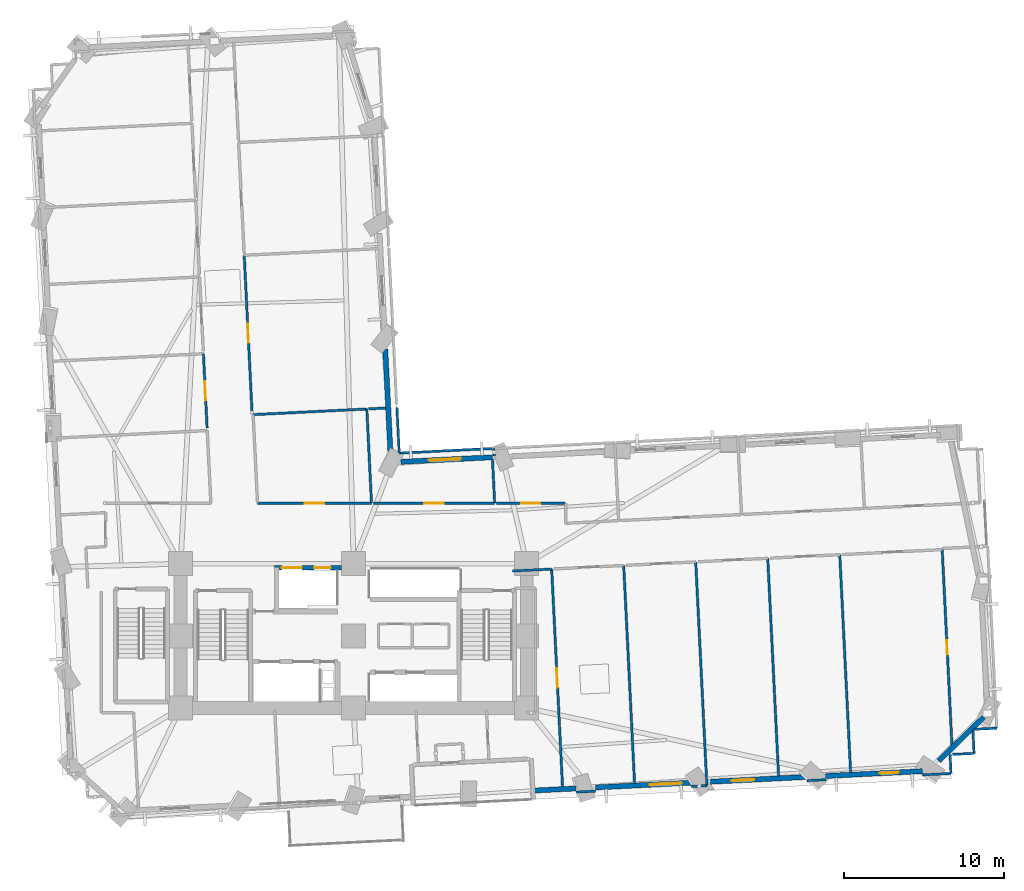
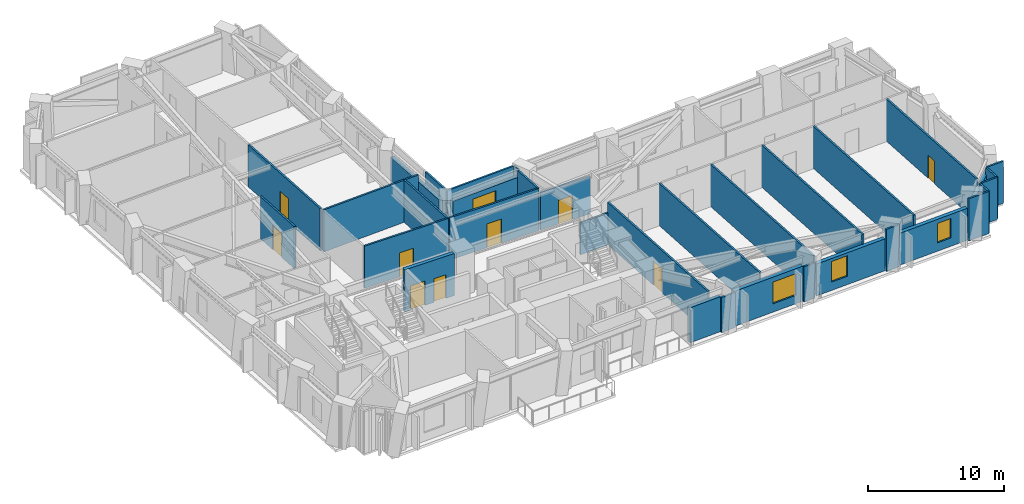
# One storey, part 8 of 15: 35 walls, 9 doors, 4 windows, 13 openings.
"""IFC4 building model written with IfcOpenShell, lengths in metres."""

from ifc_helpers import new_model, si_unit, direction, frame, frame_2d, origin, place, context, subcontext, project, spatial, rectangle, extrude, material, layer, layer_set, type_object, element, fill, save


model = new_model("IFC4")

# Units and contexts
model_context = context("Model", 3, precision=1e-05, world=origin(), true_north=direction((0.0, 1.0)))
body_context = subcontext(model_context, "Body", "Model", "MODEL_VIEW")
ifc_project = project(units=[si_unit("LENGTHUNIT", "METRE"), si_unit("AREAUNIT", "SQUARE_METRE"), si_unit("VOLUMEUNIT", "CUBIC_METRE"), si_unit("PLANEANGLEUNIT", "RADIAN"), si_unit("MASSUNIT", "GRAM", prefix="KILO")], contexts=[model_context])

# Site, building, storey
site_placement = place(None, origin())
site = spatial("IfcSite", under=ifc_project, at=site_placement, CompositionType="ELEMENT")
building_placement = place(site_placement, origin())
building = spatial("IfcBuilding", under=site, at=building_placement, Name="Gaonmaruhae Medical Tower", CompositionType="ELEMENT")
storey_placement = place(building_placement, frame((0.0, 0.0, 35.0)))
storey = spatial("IfcBuildingStorey", under=building, at=storey_placement, Name="L07", CompositionType="ELEMENT", Elevation=35.0)

# Wall
ifc_material_1 = material(Name="Precast concrete C45/55", Category="concrete")
ifc_layer_1 = layer(ifc_material_1, 0.320068359375)
ifc_layer_set_1 = layer_set([ifc_layer_1], Name="Precast concrete C45/55")
wall_type_1 = type_object("IfcWallType", Name="EW-320 Lower Precast Masonry-Frame Facade Wall", PredefinedType="SOLIDWALL", material=ifc_layer_set_1)
wall_1_placement = place(storey_placement, frame((38.6787109375, 2.775390625, 0.0), z_axis=(0.0, 0.0, 1.0), x_axis=(-0.998758724052, -0.049809749348, 0.0)))
element("IfcWall", 1, at=wall_1_placement, inside=storey, type_object=wall_type_1, Name="L07 Precast Masonry-Frame Wall S04-S05", PredefinedType="SOLIDWALL", context=body_context, shape_type="SweptSolid", body=[
    extrude(rectangle(XDim=2.66650390625, YDim=0.320068359375, at=frame_2d((1.333251953125, 0.0))), origin(), (0.0, 0.0, 1.0), 3.14501953125),
])

# Wall, opening, window
wall_2_placement = place(storey_placement, frame((45.876220703125, 3.133544921875, 0.0), z_axis=(0.0, 0.0, 1.0), x_axis=(-0.998764196625, -0.049699894762, 0.0)))
wall_2 = element("IfcWall", 2, at=wall_2_placement, inside=storey, type_object=wall_type_1, Name="L07 Precast Masonry-Frame Wall S05-S06", PredefinedType="SOLIDWALL", context=body_context, shape_type="SweptSolid", body=[
    extrude(rectangle(XDim=5.992919921875, YDim=0.320068359375, at=frame_2d((2.99658203125, 0.0))), origin(), (0.0, 0.0, 1.0), 3.14501953125),
])
opening_1_placement = place(wall_2_placement, frame((0.58837890625, 0.0, 0.75)))
opening_1 = element("IfcOpeningElement", 3, at=opening_1_placement, cuts=wall_2, Name="Opening WN-02", PredefinedType="OPENING", context=body_context, shape_type="SweptSolid", body=[
    extrude(rectangle(XDim=2.0, YDim=1.949951171875, at=frame_2d((1.0, 0.97509765625))), frame((0.0, 0.169921875, 0.0), z_axis=(0.0, -1.0, 0.0), x_axis=(1.0, 0.0, 0.0)), (0.0, 0.0, 1.0), 0.340087890625),
])
ifc_material_2 = material(Name="Anodised aluminium and Low-E double glazing", Category="aluminium")
window_type_1 = type_object("IfcWindowType", Name="WN-02 Double-Bed Ward Punched Window 2000x1950", PartitioningType="SINGLE_PANEL", PredefinedType="WINDOW", material=ifc_material_2)
window_1_placement = place(opening_1_placement, origin())
window_1 = element("IfcWindow", 4, at=window_1_placement, inside=storey, type_object=window_type_1, Name="L07 Modular Facade Window S05", OverallHeight=1.949951171875, OverallWidth=2.0, PartitioningType="SINGLE_PANEL", PredefinedType="WINDOW", context=body_context, shape_type="SweptSolid", body=[
    extrude(rectangle(XDim=2.0, YDim=1.949951171875, at=frame_2d((1.0, 0.97509765625))), frame((0.0, 0.030029296875, 0.0), z_axis=(0.0, -1.0, 0.0), x_axis=(1.0, 0.0, 0.0)), (0.0, 0.0, 1.0), 0.06005859375),
])
fill(opening_1, window_1)

wall_3_placement = place(storey_placement, frame((53.07958984375, 3.4921875, 0.0), z_axis=(0.0, 0.0, 1.0), x_axis=(-0.998764057843, -0.04970268364, 0.0)))
wall_3 = element("IfcWall", 5, at=wall_3_placement, inside=storey, type_object=wall_type_1, Name="L07 Precast Masonry-Frame Wall S06-S07", PredefinedType="SOLIDWALL", context=body_context, shape_type="SweptSolid", body=[
    extrude(rectangle(XDim=6.01220703125, YDim=0.320068359375, at=frame_2d((3.006103515625, 0.0))), origin(), (0.0, 0.0, 1.0), 2.864990234375),
])
opening_2_placement = place(wall_3_placement, frame((3.28759765625, 0.0, 0.75)))
opening_2 = element("IfcOpeningElement", 6, at=opening_2_placement, cuts=wall_3, Name="Opening WN-03", PredefinedType="OPENING", context=body_context, shape_type="SweptSolid", body=[
    extrude(rectangle(XDim=1.39990234375, YDim=1.85009765625, at=frame_2d((0.699951171875, 0.925048828125))), frame((0.0, 0.169921875, 0.0), z_axis=(0.0, -1.0, 0.0), x_axis=(1.0, 0.0, 0.0)), (0.0, 0.0, 1.0), 0.340087890625),
])
window_type_2 = type_object("IfcWindowType", Name="WN-03 Isolation Ward Punched Window 1400x1850", PartitioningType="SINGLE_PANEL", PredefinedType="WINDOW", material=ifc_material_2)
window_2_placement = place(opening_2_placement, origin())
window_2 = element("IfcWindow", 7, at=window_2_placement, inside=storey, type_object=window_type_2, Name="L07 Modular Facade Window S06", OverallHeight=1.85009765625, OverallWidth=1.39990234375, PartitioningType="SINGLE_PANEL", PredefinedType="WINDOW", context=body_context, shape_type="SweptSolid", body=[
    extrude(rectangle(XDim=1.39990234375, YDim=1.85009765625, at=frame_2d((0.699951171875, 0.925048828125))), frame((0.0, 0.030029296875, 0.0), z_axis=(0.0, -1.0, 0.0), x_axis=(1.0, 0.0, 0.0)), (0.0, 0.0, 1.0), 0.06005859375),
])
fill(opening_2, window_2)

wall_4_placement = place(storey_placement, frame((60.28955078125, 3.85107421875, 0.0), z_axis=(0.0, 0.0, 1.0), x_axis=(-0.998763193279, -0.049720053823, 0.0)))
wall_4 = element("IfcWall", 8, at=wall_4_placement, inside=storey, type_object=wall_type_1, Name="L07 Precast Masonry-Frame Wall S07-S08", PredefinedType="SOLIDWALL", context=body_context, shape_type="SweptSolid", body=[
    extrude(rectangle(XDim=6.044677734375, YDim=0.320068359375, at=frame_2d((3.0224609375, 0.0))), origin(), (0.0, 0.0, 1.0), 2.864990234375),
])
opening_3_placement = place(wall_4_placement, frame((1.46142578125, 0.0, 0.75)))
opening_3 = element("IfcOpeningElement", 9, at=opening_3_placement, cuts=wall_4, Name="Opening WN-05", PredefinedType="OPENING", context=body_context, shape_type="SweptSolid", body=[
    extrude(rectangle(XDim=1.199951171875, YDim=1.75, at=frame_2d((0.60009765625, 0.875))), frame((0.0, 0.169921875, 0.0), z_axis=(0.0, -1.0, 0.0), x_axis=(1.0, 0.0, 0.0)), (0.0, 0.0, 1.0), 0.340087890625),
])
window_type_3 = type_object("IfcWindowType", Name="WN-05 Support & Staff Punched Window 1200x1750", PartitioningType="SINGLE_PANEL", PredefinedType="WINDOW", material=ifc_material_2)
window_3_placement = place(opening_3_placement, origin())
window_3 = element("IfcWindow", 10, at=window_3_placement, inside=storey, type_object=window_type_3, Name="L07 Modular Facade Window S07", OverallHeight=1.75, OverallWidth=1.199951171875, PartitioningType="SINGLE_PANEL", PredefinedType="WINDOW", context=body_context, shape_type="SweptSolid", body=[
    extrude(rectangle(XDim=1.199951171875, YDim=1.75, at=frame_2d((0.60009765625, 0.875))), frame((0.0, 0.030029296875, 0.0), z_axis=(0.0, -1.0, 0.0), x_axis=(1.0, 0.0, 0.0)), (0.0, 0.0, 1.0), 0.06005859375),
])
fill(opening_3, window_3)

# Wall
wall_5_placement = place(storey_placement, frame((64.1201171875, 7.23291015625, 0.0), z_axis=(0.0, 0.0, 1.0), x_axis=(-0.715694037839, -0.698413949032, 0.0)))
element("IfcWall", 11, at=wall_5_placement, inside=storey, type_object=wall_type_1, Name="L07 Precast Masonry-Frame Wall S08-E01", PredefinedType="SOLIDWALL", context=body_context, shape_type="SweptSolid", body=[
    extrude(rectangle(XDim=3.927734375, YDim=0.320068359375, at=frame_2d((1.9638671875, 0.0))), origin(), (0.0, 0.0, 1.0), 3.1650390625),
])

# Wall, opening, window
wall_6_placement = place(storey_placement, frame((27.74169921875, 23.15673828125, 0.0), z_axis=(0.0, 0.0, 1.0), x_axis=(0.998763564374, 0.049712598789, 0.0)))
wall_6 = element("IfcWall", 12, at=wall_6_placement, inside=storey, type_object=wall_type_1, Name="L07 Precast Masonry-Frame Wall EN04-KN01", PredefinedType="SOLIDWALL", context=body_context, shape_type="SweptSolid", body=[
    extrude(rectangle(XDim=5.736083984375, YDim=0.320068359375, at=frame_2d((2.8681640625, 0.0))), origin(), (0.0, 0.0, 1.0), 3.1650390625),
])
opening_4_placement = place(wall_6_placement, frame((1.756591796875, 0.0, 0.75)))
opening_4 = element("IfcOpeningElement", 13, at=opening_4_placement, cuts=wall_6, Name="Opening WN-02", PredefinedType="OPENING", context=body_context, shape_type="SweptSolid", body=[
    extrude(rectangle(XDim=2.0, YDim=1.949951171875, at=frame_2d((1.0, 0.97509765625))), frame((0.0, 0.169921875, 0.0), z_axis=(0.0, -1.0, 0.0), x_axis=(1.0, 0.0, 0.0)), (0.0, 0.0, 1.0), 0.340087890625),
])
window_4_placement = place(opening_4_placement, origin())
window_4 = element("IfcWindow", 14, at=window_4_placement, inside=storey, type_object=window_type_1, Name="L07 Modular Facade Window EN04", OverallHeight=1.949951171875, OverallWidth=2.0, PartitioningType="SINGLE_PANEL", PredefinedType="WINDOW", context=body_context, shape_type="SweptSolid", body=[
    extrude(rectangle(XDim=2.0, YDim=1.949951171875, at=frame_2d((1.0, 0.97509765625))), frame((0.0, 0.030029296875, 0.0), z_axis=(0.0, -1.0, 0.0), x_axis=(1.0, 0.0, 0.0)), (0.0, 0.0, 1.0), 0.06005859375),
])
fill(opening_4, window_4)

# Walls
wall_7_placement = place(storey_placement, frame((27.09765625, 23.678955078125, 0.0), z_axis=(0.0, 0.0, 1.0), x_axis=(-0.049717778481, 0.998763306546, 0.0)))
element("IfcWall", 15, at=wall_7_placement, inside=storey, type_object=wall_type_1, Name="L07 Precast Masonry-Frame Wall KN01-NE01", PredefinedType="SOLIDWALL", context=body_context, shape_type="SweptSolid", body=[
    extrude(rectangle(XDim=6.535888671875, YDim=0.320068359375, at=frame_2d((3.26806640625, 0.0))), origin(), (0.0, 0.0, 1.0), 3.1650390625),
])
ifc_material_3 = material(Name="Gypsum board partition", Category="gypsum")
ifc_layer_2 = layer(ifc_material_3, 0.14990234375)
ifc_layer_set_2 = layer_set([ifc_layer_2], Name="Gypsum board partition")
wall_type_2 = type_object("IfcWallType", Name="PW-150 Rated Clinical Corridor Partition", PredefinedType="PARTITIONING", material=ifc_layer_set_2)
wall_8_placement = place(storey_placement, frame((34.700927734375, 16.343994140625, 0.0), z_axis=(0.0, 0.0, 1.0), x_axis=(0.998749368523, 0.049996988651, 0.0)))
element("IfcWall", 16, at=wall_8_placement, inside=storey, type_object=wall_type_2, Name="L07 Interior Partition L07-TRM07-33", PredefinedType="PARTITIONING", context=body_context, shape_type="SweptSolid", body=[
    extrude(rectangle(XDim=2.461181640625, YDim=0.14990234375, at=frame_2d((1.23046875, 0.0))), origin(), (0.0, 0.0, 1.0), 2.864990234375),
])

# Wall, opening, door
wall_9_placement = place(storey_placement, frame((37.158935546875, 16.467041015625, 0.0), z_axis=(0.0, 0.0, 1.0), x_axis=(0.049721198108, -0.998763136313, 0.0)))
wall_9 = element("IfcWall", 17, at=wall_9_placement, inside=storey, type_object=wall_type_2, Name="L07 Interior Partition L07-TRM07-34", PredefinedType="PARTITIONING", context=body_context, shape_type="SweptSolid", body=[
    extrude(rectangle(XDim=13.615966796875, YDim=0.14990234375, at=frame_2d((6.80810546875, 0.0))), origin(), (0.0, 0.0, 1.0), 3.780029296875),
])
opening_5_placement = place(wall_9_placement, frame((6.2080078125, 0.0, 0.0)))
opening_5 = element("IfcOpeningElement", 18, at=opening_5_placement, cuts=wall_9, Name="Opening CD-02", PredefinedType="OPENING", context=body_context, shape_type="SweptSolid", body=[
    extrude(rectangle(XDim=1.199951171875, YDim=2.14990234375, at=frame_2d((0.60009765625, 1.074951171875))), frame((0.0, 0.0849609375, 0.0), z_axis=(0.0, -1.0, 0.0), x_axis=(1.0, 0.0, 0.0)), (0.0, 0.0, 1.0), 0.169921875),
])
ifc_material_4 = material(Name="Antimicrobial laminate timber fire door", Category="wood")
door_type_1 = type_object("IfcDoorType", Name="CD-02 Clinical Treatment & Procedure Door 1200x2150", OperationType="NOTDEFINED", PredefinedType="DOOR", material=ifc_material_4)
door_1_placement = place(opening_5_placement, origin())
door_1 = element("IfcDoor", 19, at=door_1_placement, inside=storey, type_object=door_type_1, Name="L07 Clinical Procedure Examination Room Sliding Door", OperationType="SLIDING_TO_LEFT", OverallHeight=2.14990234375, OverallWidth=1.199951171875, PredefinedType="DOOR", context=body_context, shape_type="SweptSolid", body=[
    extrude(rectangle(XDim=1.199951171875, YDim=2.14990234375, at=frame_2d((0.60009765625, 1.074951171875))), frame((0.0, 0.02490234375, 0.0), z_axis=(0.0, -1.0, 0.0), x_axis=(1.0, 0.0, 0.0)), (0.0, 0.0, 1.0), 0.050048828125),
])
fill(opening_5, door_1)

# Walls
wall_10_placement = place(storey_placement, frame((41.653076171875, 16.68994140625, 0.0), z_axis=(0.0, 0.0, 1.0), x_axis=(0.049725650615, -0.998762914645, 0.0)))
element("IfcWall", 20, at=wall_10_placement, inside=storey, type_object=wall_type_2, Name="L07 Interior Partition L07-SUP08-36", PredefinedType="PARTITIONING", context=body_context, shape_type="SweptSolid", body=[
    extrude(rectangle(XDim=13.61474609375, YDim=0.14990234375, at=frame_2d((6.807373046875, 0.0))), origin(), (0.0, 0.0, 1.0), 3.780029296875),
])
wall_11_placement = place(storey_placement, frame((39.902099609375, 2.60595703125, 0.0), z_axis=(0.0, 0.0, 1.0), x_axis=(-0.998774811243, -0.049486123578, 0.0)))
element("IfcWall", 21, at=wall_11_placement, inside=storey, type_object=wall_type_2, Name="L07 Interior Partition L07-SUP08-37", PredefinedType="PARTITIONING", context=body_context, shape_type="SweptSolid", body=[
    extrude(rectangle(XDim=1.213623046875, YDim=0.14990234375, at=frame_2d((0.60693359375, 0.0))), origin(), (0.0, 0.0, 1.0), 3.14501953125),
])
wall_12_placement = place(storey_placement, frame((46.14794921875, 16.9140625, 0.0), z_axis=(0.0, 0.0, 1.0), x_axis=(0.049717259233, -0.998763332394, 0.0)))
element("IfcWall", 22, at=wall_12_placement, inside=storey, type_object=wall_type_2, Name="L07 Interior Partition L07-SUP09-39", PredefinedType="PARTITIONING", context=body_context, shape_type="SweptSolid", body=[
    extrude(rectangle(XDim=13.98046875, YDim=0.14990234375, at=frame_2d((6.990234375, 0.0))), origin(), (0.0, 0.0, 1.0), 3.780029296875),
])
wall_13_placement = place(storey_placement, frame((46.843017578125, 2.950927734375, 0.0), z_axis=(0.0, 0.0, 1.0), x_axis=(-0.998797760395, -0.049020748976, 0.0)))
element("IfcWall", 23, at=wall_13_placement, inside=storey, type_object=wall_type_2, Name="L07 Interior Partition L07-SUP09-40", PredefinedType="PARTITIONING", context=body_context, shape_type="SweptSolid", body=[
    extrude(rectangle(XDim=0.956298828125, YDim=0.14990234375, at=frame_2d((0.47802734375, 0.0))), origin(), (0.0, 0.0, 1.0), 3.1650390625),
])
wall_14_placement = place(storey_placement, frame((50.64208984375, 17.137939453125, 0.0), z_axis=(0.0, 0.0, 1.0), x_axis=(0.049725650615, -0.998762914645, 0.0)))
element("IfcWall", 24, at=wall_14_placement, inside=storey, type_object=wall_type_2, Name="L07 Interior Partition L07-SUP10-42", PredefinedType="PARTITIONING", context=body_context, shape_type="SweptSolid", body=[
    extrude(rectangle(XDim=13.61474609375, YDim=0.14990234375, at=frame_2d((6.807373046875, 0.0))), origin(), (0.0, 0.0, 1.0), 3.780029296875),
])
wall_15_placement = place(storey_placement, frame((55.135986328125, 17.362060546875, 0.0), z_axis=(0.0, 0.0, 1.0), x_axis=(0.049792742301, -0.998759572076, 0.0)))
element("IfcWall", 25, at=wall_15_placement, inside=storey, type_object=wall_type_2, Name="L07 Interior Partition L07-SUP11-44", PredefinedType="PARTITIONING", context=body_context, shape_type="SweptSolid", body=[
    extrude(rectangle(XDim=13.615966796875, YDim=0.14990234375, at=frame_2d((6.80810546875, 0.0))), origin(), (0.0, 0.0, 1.0), 3.780029296875),
])
wall_16_placement = place(storey_placement, frame((54.263916015625, 3.321044921875, 0.0), z_axis=(0.0, 0.0, 1.0), x_axis=(-0.998733605119, -0.050310893513, 0.0)))
element("IfcWall", 26, at=wall_16_placement, inside=storey, type_object=wall_type_2, Name="L07 Interior Partition L07-SUP11-45", PredefinedType="PARTITIONING", context=body_context, shape_type="SweptSolid", body=[
    extrude(rectangle(XDim=1.17431640625, YDim=0.14990234375, at=frame_2d((0.587158203125, 0.0))), origin(), (0.0, 0.0, 1.0), 3.780029296875),
])
wall_17_placement = place(storey_placement, frame((62.083984375, 3.7099609375, 0.0), z_axis=(0.0, 0.0, 1.0), x_axis=(-0.998760170661, -0.049780734235, 0.0)))
element("IfcWall", 27, at=wall_17_placement, inside=storey, type_object=wall_type_2, Name="L07 Interior Partition L07-SUP12-46", PredefinedType="PARTITIONING", context=body_context, shape_type="SweptSolid", body=[
    extrude(rectangle(XDim=1.78515625, YDim=0.14990234375, at=frame_2d((0.892578125, 0.0))), origin(), (0.0, 0.0, 1.0), 3.780029296875),
])

# Wall, opening, door
wall_18_placement = place(storey_placement, frame((61.529052734375, 17.679931640625, 0.0), z_axis=(0.0, 0.0, 1.0), x_axis=(0.049708243442, -0.998763781148, 0.0)))
wall_18 = element("IfcWall", 28, at=wall_18_placement, inside=storey, type_object=wall_type_2, Name="L07 Interior Partition L07-SUP12-48", PredefinedType="PARTITIONING", context=body_context, shape_type="SweptSolid", body=[
    extrude(rectangle(XDim=12.2099609375, YDim=0.14990234375, at=frame_2d((6.10498046875, 0.0))), origin(), (0.0, 0.0, 1.0), 3.780029296875),
])
opening_6_placement = place(wall_18_placement, frame((5.675048828125, 0.0, 0.0)))
opening_6 = element("IfcOpeningElement", 29, at=opening_6_placement, cuts=wall_18, Name="Opening AD-01", PredefinedType="OPENING", context=body_context, shape_type="SweptSolid", body=[
    extrude(rectangle(XDim=0.860107421875, YDim=2.06005859375, at=frame_2d((0.43017578125, 1.030029296875))), frame((0.0, 0.0849609375, 0.0), z_axis=(0.0, -1.0, 0.0), x_axis=(1.0, 0.0, 0.0)), (0.0, 0.0, 1.0), 0.169921875),
])
ifc_material_5 = material(Name="Powder-coated steel access door", Category="steel")
door_type_2 = type_object("IfcDoorType", Name="AD-01 Riser & Closet Access Fire Door 860x2060", OperationType="NOTDEFINED", PredefinedType="DOOR", material=ifc_material_5)
door_2_placement = place(opening_6_placement, origin())
door_2 = element("IfcDoor", 30, at=door_2_placement, inside=storey, type_object=door_type_2, Name="L07 Care Team Clinical Charting Office Sliding Door", OperationType="SLIDING_TO_LEFT", OverallHeight=2.06005859375, OverallWidth=0.860107421875, PredefinedType="DOOR", context=body_context, shape_type="SweptSolid", body=[
    extrude(rectangle(XDim=0.860107421875, YDim=2.06005859375, at=frame_2d((0.43017578125, 1.030029296875))), frame((0.0, 0.02490234375, 0.0), z_axis=(0.0, -1.0, 0.0), x_axis=(1.0, 0.0, 0.0)), (0.0, 0.0, 1.0), 0.050048828125),
])
fill(opening_6, door_2)

# Wall
wall_19_placement = place(storey_placement, frame((62.02490234375, 4.888916015625, 0.0), z_axis=(0.0, 0.0, 1.0), x_axis=(0.050051085416, -0.998746658992, 0.0)))
element("IfcWall", 31, at=wall_19_placement, inside=storey, type_object=wall_type_2, Name="L07 Interior Partition L07-SUP12-49", PredefinedType="PARTITIONING", context=body_context, shape_type="SweptSolid", body=[
    extrude(rectangle(XDim=1.180419921875, YDim=0.14990234375, at=frame_2d((0.59033203125, 0.0))), origin(), (0.0, 0.0, 1.0), 3.780029296875),
])

# Wall, opening, door
wall_20_placement = place(storey_placement, frame((15.424072265625, 29.903076171875, 0.0), z_axis=(0.0, 0.0, 1.0), x_axis=(0.049767066936, -0.99876085178, 0.0)))
wall_20 = element("IfcWall", 32, at=wall_20_placement, inside=storey, type_object=wall_type_2, Name="L07 Interior Partition L07-WOF15-59", PredefinedType="PARTITIONING", context=body_context, shape_type="SweptSolid", body=[
    extrude(rectangle(XDim=4.640869140625, YDim=0.14990234375, at=frame_2d((2.3203125, 0.0))), origin(), (0.0, 0.0, 1.0), 3.780029296875),
])
opening_7_placement = place(wall_20_placement, frame((1.720458984375, 0.0, 0.0)))
opening_7 = element("IfcOpeningElement", 33, at=opening_7_placement, cuts=wall_20, Name="Opening CD-02", PredefinedType="OPENING", context=body_context, shape_type="SweptSolid", body=[
    extrude(rectangle(XDim=1.199951171875, YDim=2.14990234375, at=frame_2d((0.60009765625, 1.074951171875))), frame((0.0, 0.0849609375, 0.0), z_axis=(0.0, -1.0, 0.0), x_axis=(1.0, 0.0, 0.0)), (0.0, 0.0, 1.0), 0.169921875),
])
door_3_placement = place(opening_7_placement, origin())
door_3 = element("IfcDoor", 34, at=door_3_placement, inside=storey, type_object=door_type_1, Name="L07 Ward Physician Reporting Office Door", OperationType="SINGLE_SWING_LEFT", OverallHeight=2.14990234375, OverallWidth=1.199951171875, PredefinedType="DOOR", context=body_context, shape_type="SweptSolid", body=[
    extrude(rectangle(XDim=1.199951171875, YDim=2.14990234375, at=frame_2d((0.60009765625, 1.074951171875))), frame((0.0, 0.02490234375, 0.0), z_axis=(0.0, -1.0, 0.0), x_axis=(1.0, 0.0, 0.0)), (0.0, 0.0, 1.0), 0.050048828125),
])
fill(opening_7, door_3)

# Walls
wall_21_placement = place(storey_placement, frame((18.527099609375, 26.10205078125, 0.0), z_axis=(0.0, 0.0, 1.0), x_axis=(0.998764394094, 0.049695926288, 0.0)))
element("IfcWall", 35, at=wall_21_placement, inside=storey, type_object=wall_type_2, Name="L07 Interior Partition L07-IE01-75", PredefinedType="PARTITIONING", context=body_context, shape_type="SweptSolid", body=[
    extrude(rectangle(XDim=7.103759765625, YDim=0.14990234375, at=frame_2d((3.5517578125, 0.0))), origin(), (0.0, 0.0, 1.0), 3.780029296875),
])
wall_22_placement = place(storey_placement, frame((25.6220703125, 26.455078125, 0.0), z_axis=(0.0, 0.0, 1.0), x_axis=(0.049639526669, -0.998767198797, 0.0)))
element("IfcWall", 36, at=wall_22_placement, inside=storey, type_object=wall_type_2, Name="L07 Interior Partition L07-IE01-76", PredefinedType="PARTITIONING", context=body_context, shape_type="SweptSolid", body=[
    extrude(rectangle(XDim=5.88232421875, YDim=0.14990234375, at=frame_2d((2.941162109375, 0.0))), origin(), (0.0, 0.0, 1.0), 3.780029296875),
])

# Wall, opening, door
wall_23_placement = place(storey_placement, frame((25.9140625, 20.580078125, 0.0), z_axis=(0.0, 0.0, 1.0), x_axis=(-1.0, 0.0, 0.0)))
wall_23 = element("IfcWall", 37, at=wall_23_placement, inside=storey, type_object=wall_type_2, Name="L07 Interior Partition L07-IE01-77", PredefinedType="PARTITIONING", context=body_context, shape_type="SweptSolid", body=[
    extrude(rectangle(XDim=7.112060546875, YDim=0.14990234375, at=frame_2d((3.55615234375, 0.0))), origin(), (0.0, 0.0, 1.0), 3.780029296875),
])
opening_8_placement = place(wall_23_placement, frame((2.9560546875, 0.0, 0.0)))
opening_8 = element("IfcOpeningElement", 38, at=opening_8_placement, cuts=wall_23, Name="Opening CD-02", PredefinedType="OPENING", context=body_context, shape_type="SweptSolid", body=[
    extrude(rectangle(XDim=1.199951171875, YDim=2.14990234375, at=frame_2d((0.60009765625, 1.074951171875))), frame((0.0, 0.0849609375, 0.0), z_axis=(0.0, -1.0, 0.0), x_axis=(1.0, 0.0, 0.0)), (0.0, 0.0, 1.0), 0.169921875),
])
door_4_placement = place(opening_8_placement, origin())
door_4 = element("IfcDoor", 39, at=door_4_placement, inside=storey, type_object=door_type_1, Name="L07 Central Clinical Nurse Station Door", OperationType="SINGLE_SWING_RIGHT", OverallHeight=2.14990234375, OverallWidth=1.199951171875, PredefinedType="DOOR", context=body_context, shape_type="SweptSolid", body=[
    extrude(rectangle(XDim=1.199951171875, YDim=2.14990234375, at=frame_2d((0.60009765625, 1.074951171875))), frame((0.0, 0.02490234375, 0.0), z_axis=(0.0, -1.0, 0.0), x_axis=(1.0, 0.0, 0.0)), (0.0, 0.0, 1.0), 0.050048828125),
])
fill(opening_8, door_4)

# Walls
wall_24_placement = place(storey_placement, frame((25.741943359375, 26.4609375, 0.0), z_axis=(0.0, 0.0, 1.0), x_axis=(0.998752338878, 0.049937616944, 0.0)))
element("IfcWall", 40, at=wall_24_placement, inside=storey, type_object=wall_type_2, Name="L07 Interior Partition L07-IE02-79", PredefinedType="PARTITIONING", context=body_context, shape_type="SweptSolid", body=[
    extrude(rectangle(XDim=1.08056640625, YDim=0.14990234375, at=frame_2d((0.540283203125, 0.0))), origin(), (0.0, 0.0, 1.0), 3.780029296875),
])
wall_25_placement = place(storey_placement, frame((27.5048828125, 26.549072265625, 0.0), z_axis=(0.0, 0.0, 1.0), x_axis=(0.049860704893, -0.998756181512, 0.0)))
element("IfcWall", 41, at=wall_25_placement, inside=storey, type_object=wall_type_2, Name="L07 Interior Partition L07-IE02-80", PredefinedType="PARTITIONING", context=body_context, shape_type="SweptSolid", body=[
    extrude(rectangle(XDim=2.849853515625, YDim=0.14990234375, at=frame_2d((1.4248046875, 0.0))), origin(), (0.0, 0.0, 1.0), 3.780029296875),
])
wall_26_placement = place(storey_placement, frame((27.64697265625, 23.702880859375, 0.0), z_axis=(0.0, 0.0, 1.0), x_axis=(0.998761470129, 0.049754655919, 0.0)))
element("IfcWall", 42, at=wall_26_placement, inside=storey, type_object=wall_type_2, Name="L07 Interior Partition L07-IE02-81", PredefinedType="PARTITIONING", context=body_context, shape_type="SweptSolid", body=[
    extrude(rectangle(XDim=5.7900390625, YDim=0.14990234375, at=frame_2d((2.89501953125, 0.0))), origin(), (0.0, 0.0, 1.0), 3.780029296875),
])
wall_27_placement = place(storey_placement, frame((33.464111328125, 23.305908203125, 0.0), z_axis=(0.0, 0.0, 1.0), x_axis=(0.049469138908, -0.998775652635, 0.0)))
element("IfcWall", 43, at=wall_27_placement, inside=storey, type_object=wall_type_2, Name="L07 Interior Partition L07-IE02-82", PredefinedType="PARTITIONING", context=body_context, shape_type="SweptSolid", body=[
    extrude(rectangle(XDim=2.729248046875, YDim=0.14990234375, at=frame_2d((1.36474609375, 0.0))), origin(), (0.0, 0.0, 1.0), 3.780029296875),
])

# Wall, opening, door
wall_28_placement = place(storey_placement, frame((33.59912109375, 20.580078125, 0.0), z_axis=(0.0, 0.0, 1.0), x_axis=(-1.0, 0.0, 0.0)))
wall_28 = element("IfcWall", 44, at=wall_28_placement, inside=storey, type_object=wall_type_2, Name="L07 Interior Partition L07-IE02-83", PredefinedType="PARTITIONING", context=body_context, shape_type="SweptSolid", body=[
    extrude(rectangle(XDim=7.565185546875, YDim=0.14990234375, at=frame_2d((3.78271484375, 0.0))), origin(), (0.0, 0.0, 1.0), 3.780029296875),
])
opening_9_placement = place(wall_28_placement, frame((3.1826171875, 0.0, 0.0)))
opening_9 = element("IfcOpeningElement", 45, at=opening_9_placement, cuts=wall_28, Name="Opening CD-02", PredefinedType="OPENING", context=body_context, shape_type="SweptSolid", body=[
    extrude(rectangle(XDim=1.199951171875, YDim=2.14990234375, at=frame_2d((0.60009765625, 1.074951171875))), frame((0.0, 0.0849609375, 0.0), z_axis=(0.0, -1.0, 0.0), x_axis=(1.0, 0.0, 0.0)), (0.0, 0.0, 1.0), 0.169921875),
])
door_5_placement = place(opening_9_placement, origin())
door_5 = element("IfcDoor", 46, at=door_5_placement, inside=storey, type_object=door_type_1, Name="L07 Acute Treatment Examination Room Door", OperationType="SINGLE_SWING_LEFT", OverallHeight=2.14990234375, OverallWidth=1.199951171875, PredefinedType="DOOR", context=body_context, shape_type="SweptSolid", body=[
    extrude(rectangle(XDim=1.199951171875, YDim=2.14990234375, at=frame_2d((0.60009765625, 1.074951171875))), frame((0.0, 0.02490234375, 0.0), z_axis=(0.0, -1.0, 0.0), x_axis=(1.0, 0.0, 0.0)), (0.0, 0.0, 1.0), 0.050048828125),
])
fill(opening_9, door_5)

wall_29_placement = place(storey_placement, frame((38.0, 20.580078125, 0.0), z_axis=(0.0, 0.0, 1.0), x_axis=(-1.0, 0.0, 0.0)))
wall_29 = element("IfcWall", 47, at=wall_29_placement, inside=storey, type_object=wall_type_2, Name="L07 Interior Partition L07-IE03-84", PredefinedType="PARTITIONING", context=body_context, shape_type="SweptSolid", body=[
    extrude(rectangle(XDim=4.281005859375, YDim=0.14990234375, at=frame_2d((2.140625, 0.0))), origin(), (0.0, 0.0, 1.0), 3.364990234375),
])
opening_10_placement = place(wall_29_placement, frame((1.54052734375, 0.0, 0.0)))
opening_10 = element("IfcOpeningElement", 48, at=opening_10_placement, cuts=wall_29, Name="Opening CD-02", PredefinedType="OPENING", context=body_context, shape_type="SweptSolid", body=[
    extrude(rectangle(XDim=1.199951171875, YDim=2.14990234375, at=frame_2d((0.60009765625, 1.074951171875))), frame((0.0, 0.0849609375, 0.0), z_axis=(0.0, -1.0, 0.0), x_axis=(1.0, 0.0, 0.0)), (0.0, 0.0, 1.0), 0.169921875),
])
door_6_placement = place(opening_10_placement, origin())
door_6 = element("IfcDoor", 49, at=door_6_placement, inside=storey, type_object=door_type_1, Name="L07 Clean Medication Preparation Room Door", OperationType="SINGLE_SWING_LEFT", OverallHeight=2.14990234375, OverallWidth=1.199951171875, PredefinedType="DOOR", context=body_context, shape_type="SweptSolid", body=[
    extrude(rectangle(XDim=1.199951171875, YDim=2.14990234375, at=frame_2d((0.60009765625, 1.074951171875))), frame((0.0, 0.02490234375, 0.0), z_axis=(0.0, -1.0, 0.0), x_axis=(1.0, 0.0, 0.0)), (0.0, 0.0, 1.0), 0.050048828125),
])
fill(opening_10, door_6)

# Wall
wall_30_placement = place(storey_placement, frame((33.572021484375, 23.531005859375, 0.0), z_axis=(0.0, 0.0, 1.0), x_axis=(-0.049283869976, 0.998784811739, 0.0)))
element("IfcWall", 50, at=wall_30_placement, inside=storey, type_object=wall_type_2, Name="L07 Interior Partition L07-IE03-85", PredefinedType="PARTITIONING", context=body_context, shape_type="SweptSolid", body=[
    extrude(rectangle(XDim=0.465576171875, YDim=0.14990234375, at=frame_2d((0.23291015625, 0.0))), origin(), (0.0, 0.0, 1.0), 3.780029296875),
])

# Wall, opening, door
wall_31_placement = place(storey_placement, frame((18.4560546875, 26.30908203125, 0.0), z_axis=(0.0, 0.0, 1.0), x_axis=(-0.049754032713, 0.998761501175, 0.0)))
wall_31 = element("IfcWall", 51, at=wall_31_placement, inside=storey, type_object=wall_type_2, Name="L07 Interior Partition L07-IN01-102", PredefinedType="PARTITIONING", context=body_context, shape_type="SweptSolid", body=[
    extrude(rectangle(XDim=9.75, YDim=0.14990234375, at=frame_2d((4.875, 0.0))), origin(), (0.0, 0.0, 1.0), 3.780029296875),
])
opening_11_placement = place(wall_31_placement, frame((4.27490234375, 0.0, 0.0)))
opening_11 = element("IfcOpeningElement", 52, at=opening_11_placement, cuts=wall_31, Name="Opening CD-02", PredefinedType="OPENING", context=body_context, shape_type="SweptSolid", body=[
    extrude(rectangle(XDim=1.199951171875, YDim=2.14990234375, at=frame_2d((0.60009765625, 1.074951171875))), frame((0.0, 0.0849609375, 0.0), z_axis=(0.0, -1.0, 0.0), x_axis=(1.0, 0.0, 0.0)), (0.0, 0.0, 1.0), 0.169921875),
])
door_7_placement = place(opening_11_placement, origin())
door_7 = element("IfcDoor", 53, at=door_7_placement, inside=storey, type_object=door_type_1, Name="L07 Physician Consultation Office Door", OperationType="SINGLE_SWING_LEFT", OverallHeight=2.14990234375, OverallWidth=1.199951171875, PredefinedType="DOOR", context=body_context, shape_type="SweptSolid", body=[
    extrude(rectangle(XDim=1.199951171875, YDim=2.14990234375, at=frame_2d((0.60009765625, 1.074951171875))), frame((0.0, 0.02490234375, 0.0), z_axis=(0.0, -1.0, 0.0), x_axis=(1.0, 0.0, 0.0)), (0.0, 0.0, 1.0), 0.050048828125),
])
fill(opening_11, door_7)

# Walls
wall_32_placement = place(storey_placement, frame((64.947021484375, 6.535888671875, 0.0), z_axis=(0.0, 0.0, 1.0), x_axis=(-0.998761308144, -0.049757907466, 0.0)))
element("IfcWall", 54, at=wall_32_placement, inside=storey, type_object=wall_type_2, Name="L07 Interior Partition L07-RM02-119", PredefinedType="PARTITIONING", context=body_context, shape_type="SweptSolid", body=[
    extrude(rectangle(XDim=1.4228515625, YDim=0.14990234375, at=frame_2d((0.71142578125, 0.0))), origin(), (0.0, 0.0, 1.0), 3.780029296875),
])
wall_33_placement = place(storey_placement, frame((63.451904296875, 6.39306640625, 0.0), z_axis=(0.0, 0.0, 1.0), x_axis=(0.049614478836, -0.998768443379, 0.0)))
element("IfcWall", 55, at=wall_33_placement, inside=storey, type_object=wall_type_2, Name="L07 Interior Partition L07-RM02-120", PredefinedType="PARTITIONING", context=body_context, shape_type="SweptSolid", body=[
    extrude(rectangle(XDim=1.431884765625, YDim=0.14990234375, at=frame_2d((0.7158203125, 0.0))), origin(), (0.0, 0.0, 1.0), 3.780029296875),
])
wall_34_placement = place(storey_placement, frame((63.52294921875, 4.962890625, 0.0), z_axis=(0.0, 0.0, 1.0), x_axis=(-0.998788435349, -0.049210379114, 0.0)))
element("IfcWall", 56, at=wall_34_placement, inside=storey, type_object=wall_type_2, Name="L07 Interior Partition L07-RM02-121", PredefinedType="PARTITIONING", context=body_context, shape_type="SweptSolid", body=[
    extrude(rectangle(XDim=1.339599609375, YDim=0.14990234375, at=frame_2d((0.669921875, 0.0))), origin(), (0.0, 0.0, 1.0), 3.780029296875),
])

# Wall, openings, doors
ifc_material_6 = material(Name="Concrete C50/60", Category="concrete")
ifc_layer_3 = layer(ifc_material_6, 0.300048828125)
ifc_layer_set_3 = layer_set([ifc_layer_3], Name="Concrete C50/60")
wall_type_3 = type_object("IfcWallType", Name="SW-300 Stair & Lift Hoistway Shaft Wall", PredefinedType="SOLIDWALL", material=ifc_layer_set_3)
wall_35_placement = place(storey_placement, frame((19.85009765625, 16.550048828125, 0.0), z_axis=(0.0, 0.0, 1.0), x_axis=(1.0, 0.0, 0.0)))
wall_35 = element("IfcWall", 57, at=wall_35_placement, inside=storey, type_object=wall_type_3, Name="L07 Core Shear Wall CSW-NB", PredefinedType="SOLIDWALL", context=body_context, shape_type="SweptSolid", body=[
    extrude(rectangle(XDim=4.199951171875, YDim=0.300048828125, at=frame_2d((2.10009765625, 0.0))), origin(), (0.0, 0.0, 1.0), 3.780029296875),
])
opening_12_placement = place(wall_35_placement, frame((0.47509765625, 0.0, 0.0)))
opening_12 = element("IfcOpeningElement", 58, at=opening_12_placement, cuts=wall_35, Name="Opening LD-F1", PredefinedType="OPENING", context=body_context, shape_type="SweptSolid", body=[
    extrude(rectangle(XDim=1.25, YDim=2.179931640625, at=frame_2d((0.625, 1.08984375))), frame((0.0, 0.16015625, 0.0), z_axis=(0.0, -1.0, 0.0), x_axis=(1.0, 0.0, 0.0)), (0.0, 0.0, 1.0), 0.320068359375),
])
opening_13_placement = place(wall_35_placement, frame((2.489990234375, 0.0, 0.0)))
opening_13 = element("IfcOpeningElement", 59, at=opening_13_placement, cuts=wall_35, Name="Opening LD-S1", PredefinedType="OPENING", context=body_context, shape_type="SweptSolid", body=[
    extrude(rectangle(XDim=1.02001953125, YDim=2.1201171875, at=frame_2d((0.510009765625, 1.06005859375))), frame((0.0, 0.16015625, 0.0), z_axis=(0.0, -1.0, 0.0), x_axis=(1.0, 0.0, 0.0)), (0.0, 0.0, 1.0), 0.320068359375),
])
ifc_material_7 = material(Name="Brushed stainless steel 316L landing door", Category="steel")
door_type_3 = type_object("IfcDoorType", Name="LD-F1 Firefighting & Bed Lift Sliding Landing Door 1250x2180", OperationType="NOTDEFINED", PredefinedType="DOOR", material=ifc_material_7)
door_8_placement = place(opening_12_placement, origin())
door_8 = element("IfcDoor", 60, at=door_8_placement, inside=storey, type_object=door_type_3, Name="L07 Service/Bed Lift Landing Door BDL-01", OperationType="DOUBLE_DOOR_SLIDING", OverallHeight=2.179931640625, OverallWidth=1.25, PredefinedType="DOOR", context=body_context, shape_type="SweptSolid", body=[
    extrude(rectangle(XDim=1.25, YDim=2.179931640625, at=frame_2d((0.625, 1.08984375))), frame((0.0, 0.02490234375, 0.0), z_axis=(0.0, -1.0, 0.0), x_axis=(1.0, 0.0, 0.0)), (0.0, 0.0, 1.0), 0.050048828125),
])
fill(opening_12, door_8)
ifc_material_8 = material(Name="Brushed stainless steel 304 landing door", Category="steel")
door_type_4 = type_object("IfcDoorType", Name="LD-S1 Service Lift Sliding Landing Door 1020x2120", OperationType="NOTDEFINED", PredefinedType="DOOR", material=ifc_material_8)
door_9_placement = place(opening_13_placement, origin())
door_9 = element("IfcDoor", 61, at=door_9_placement, inside=storey, type_object=door_type_4, Name="L07 Service/Bed Lift Landing Door SVL-01", OperationType="SLIDING_TO_LEFT", OverallHeight=2.1201171875, OverallWidth=1.02001953125, PredefinedType="DOOR", context=body_context, shape_type="SweptSolid", body=[
    extrude(rectangle(XDim=1.02001953125, YDim=2.1201171875, at=frame_2d((0.510009765625, 1.06005859375))), frame((0.0, 0.02490234375, 0.0), z_axis=(0.0, -1.0, 0.0), x_axis=(1.0, 0.0, 0.0)), (0.0, 0.0, 1.0), 0.050048828125),
])
fill(opening_13, door_9)

save(model, "model.ifc")
